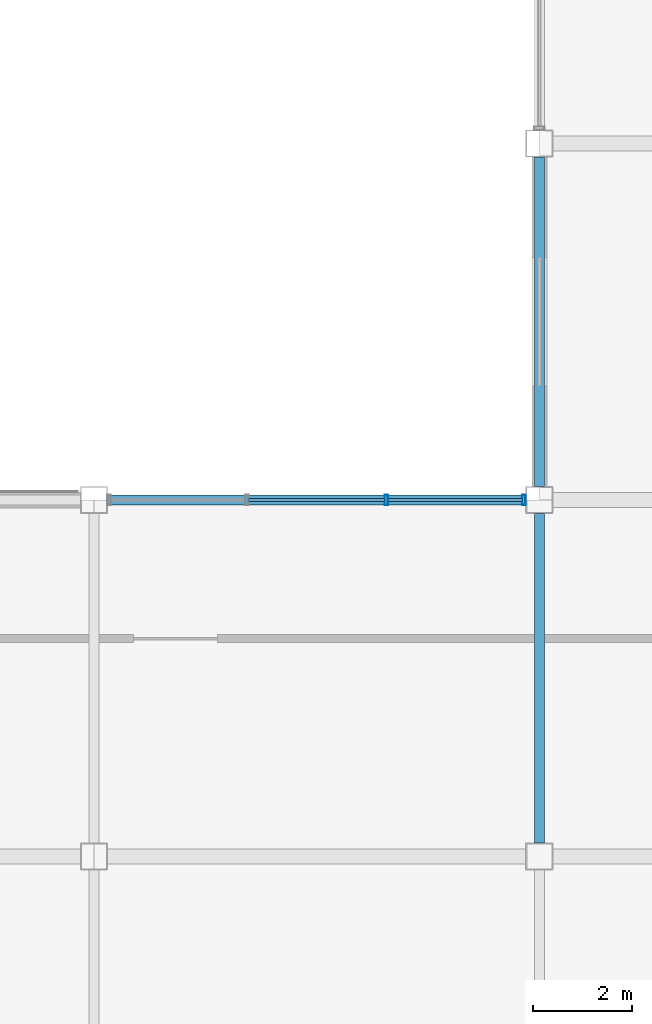
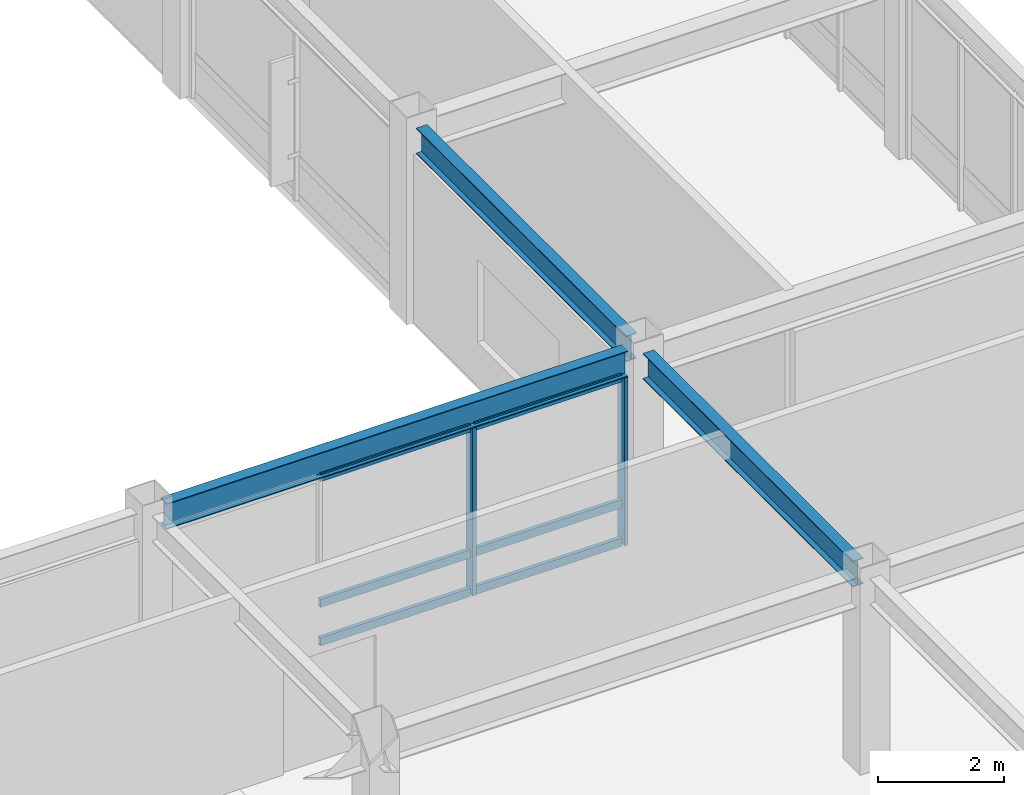
# One storey, part 44 of 122: 8 members, 3 beams, 1 element without a shape of its own.
"""IFC4 building model written with IfcOpenShell, lengths in metres."""

from ifc_helpers import new_model, si_unit, direction, frame, origin, origin_2d, place, context, subcontext, project, spatial, hollow_rectangle, i_section, extrude, material, material_profile, profile_set, type_object, element, aggregate, save


model = new_model("IFC4")

# Units and contexts
model_context = context("Model", 3, precision=1e-05, world=origin(), true_north=direction((0.0, 1.0)))
body_context = subcontext(model_context, "Body", "Model", "MODEL_VIEW")
ifc_project = project(units=[si_unit("LENGTHUNIT", "METRE"), si_unit("AREAUNIT", "SQUARE_METRE"), si_unit("VOLUMEUNIT", "CUBIC_METRE"), si_unit("PLANEANGLEUNIT", "RADIAN"), si_unit("MASSUNIT", "GRAM", prefix="KILO")], contexts=[model_context])

# Site, building, storey
site_placement = place(None, origin())
site = spatial("IfcSite", under=ifc_project, at=site_placement, CompositionType="ELEMENT")
building_placement = place(site_placement, origin())
building = spatial("IfcBuilding", under=site, at=building_placement, Name="Kazanami Central Library", CompositionType="ELEMENT")
storey_placement = place(building_placement, frame((0.0, 0.0, 4.800048828125)))
storey = spatial("IfcBuildingStorey", under=building, at=storey_placement, Name="L02", CompositionType="ELEMENT", Elevation=4.800048828125)

# Beams
ifc_material_1 = material(Name="Steel SN490B (325 MPa)", Category="steel")
ifc_material_profile_1 = material_profile(ifc_material_1, i_section(OverallWidth=0.199951171875, OverallDepth=0.5, WebThickness=0.010009765625, FlangeThickness=0.01611328125, at=origin_2d()), Name="H-500x200x10x16")
ifc_profile_set_1 = profile_set([ifc_material_profile_1], Name="Steel SN490B (325 MPa)")
beam_type_1 = type_object("IfcBeamType", Name="BM-G-Y2", PredefinedType="BEAM", material=ifc_profile_set_1)
beam_1_placement = place(storey_placement, frame((99.0, 29.072998046875, 3.5048828125), z_axis=(0.0, 1.0, 0.0), x_axis=(-1.0, 0.0, 0.0)))
element("IfcBeam", 1, at=beam_1_placement, inside=storey, type_object=beam_type_1, Name="Girder G-Y2 L02 12/E-F", PredefinedType="BEAM", context=body_context, shape_type="SweptSolid", body=[
    extrude(i_section(OverallWidth=0.199951171875, OverallDepth=0.5, WebThickness=0.010009765625, FlangeThickness=0.01611328125, at=origin_2d()), origin(), (0.0, 0.0, 1.0), 6.654052734375),
])
ifc_material_profile_2 = material_profile(ifc_material_1, i_section(OverallWidth=0.199951171875, OverallDepth=0.5, WebThickness=0.010009765625, FlangeThickness=0.01611328125, at=origin_2d()), Name="H-500x200x10x16")
ifc_profile_set_2 = profile_set([ifc_material_profile_2], Name="Steel SN490B (325 MPa)")
beam_type_2 = type_object("IfcBeamType", Name="BM-SP-1", PredefinedType="SPANDREL", material=ifc_profile_set_2)
beam_2_placement = place(storey_placement, frame((90.27294921875, 36.0, 3.5048828125), z_axis=(1.0, 0.0, 0.0), x_axis=(0.0, 1.0, 0.0)))
element("IfcBeam", 2, at=beam_2_placement, inside=storey, type_object=beam_type_2, Name="Girder SP-1 L02 F/11-12", PredefinedType="SPANDREL", context=body_context, shape_type="SweptSolid", body=[
    extrude(i_section(OverallWidth=0.199951171875, OverallDepth=0.5, WebThickness=0.010009765625, FlangeThickness=0.01611328125, at=origin_2d()), origin(), (0.0, 0.0, 1.0), 8.4541015625),
])
beam_3_placement = place(storey_placement, frame((99.0, 36.27294921875, 3.5048828125), z_axis=(0.0, 1.0, 0.0), x_axis=(-1.0, 0.0, 0.0)))
element("IfcBeam", 3, at=beam_3_placement, inside=storey, type_object=beam_type_2, Name="Girder SP-1 L02 12/F-G", PredefinedType="SPANDREL", context=body_context, shape_type="SweptSolid", body=[
    extrude(i_section(OverallWidth=0.199951171875, OverallDepth=0.5, WebThickness=0.010009765625, FlangeThickness=0.01611328125, at=origin_2d()), origin(), (0.0, 0.0, 1.0), 6.654052734375),
])

# Curtain wall, members
ifc_material_2 = material(Name="Acid-Etched Low-E Laminated Glass", Category="glass")
curtain_wall_type = type_object("IfcCurtainWallType", Name="CW-8450x3255-M275", PredefinedType="USERDEFINED", material=ifc_material_2)
curtain_wall_placement = place(storey_placement, origin())
curtain_wall = element("IfcCurtainWall", 4, at=curtain_wall_placement, inside=storey, type_object=curtain_wall_type, Name="Unitised Curtain Wall CW-13 L02 N-F-10", ObjectType="UNITISED CURTAIN WALL", PredefinedType="USERDEFINED")
ifc_material_3 = material(Name="Anodised Aluminium A6063-T5", Category="aluminium")
ifc_material_profile_3 = material_profile(ifc_material_3, hollow_rectangle(XDim=0.070068359375, YDim=0.2099609375, WallThickness=0.0048828125, at=origin_2d()), Name="ALU-MULL-70x210x5")
ifc_profile_set_3 = profile_set([ifc_material_profile_3], Name="Anodised Aluminium A6063-T5")
member_type_1 = type_object("IfcMemberType", Name="MEM-CW-M1", PredefinedType="MULLION", material=ifc_profile_set_3)
member_1_placement = place(storey_placement, frame((98.68994140625, 36.0, 0.0), z_axis=(0.0, 0.0, 1.0), x_axis=(-1.0, 0.0, 0.0)))
member_1 = element("IfcMember", 5, at=member_1_placement, type_object=member_type_1, Name="CW-13 mullion 1", PredefinedType="MULLION", context=body_context, shape_type="SweptSolid", body=[
    extrude(hollow_rectangle(XDim=0.070068359375, YDim=0.2099609375, WallThickness=0.0048828125, at=origin_2d()), origin(), (0.0, 0.0, 1.0), 3.2548828125),
])
member_2_placement = place(storey_placement, frame((95.908447265625, 36.0, 0.0), z_axis=(0.0, 0.0, 1.0), x_axis=(-1.0, 0.0, 0.0)))
member_2 = element("IfcMember", 6, at=member_2_placement, type_object=member_type_1, Name="CW-13 mullion 2", PredefinedType="MULLION", context=body_context, shape_type="SweptSolid", body=[
    extrude(hollow_rectangle(XDim=0.070068359375, YDim=0.2099609375, WallThickness=0.0048828125, at=origin_2d()), origin(), (0.0, 0.0, 1.0), 3.2548828125),
])
ifc_material_profile_4 = material_profile(ifc_material_3, hollow_rectangle(XDim=0.070068359375, YDim=0.159912109375, WallThickness=0.00390625, at=origin_2d()), Name="ALU-TRAN-70x160x4")
ifc_profile_set_4 = profile_set([ifc_material_profile_4], Name="Anodised Aluminium A6063-T5")
member_type_2 = type_object("IfcMemberType", Name="MEM-CW-T1", PredefinedType="USERDEFINED", material=ifc_profile_set_4)
member_3_placement = place(storey_placement, frame((98.655029296875, 36.0, 0.034912109375), z_axis=(-1.0, 0.0, 0.0), x_axis=(0.0, -1.0, 0.0)))
member_3 = element("IfcMember", 7, at=member_3_placement, type_object=member_type_2, Name="CW-13 transom 1.1", ObjectType="TRANSOM", PredefinedType="USERDEFINED", context=body_context, shape_type="SweptSolid", body=[
    extrude(hollow_rectangle(XDim=0.070068359375, YDim=0.159912109375, WallThickness=0.00390625, at=origin_2d()), origin(), (0.0, 0.0, 1.0), 2.711669921875),
])
member_4_placement = place(storey_placement, frame((98.655029296875, 36.0, 0.780029296875), z_axis=(-1.0, 0.0, 0.0), x_axis=(0.0, -1.0, 0.0)))
member_4 = element("IfcMember", 8, at=member_4_placement, type_object=member_type_2, Name="CW-13 transom 1.2", ObjectType="TRANSOM", PredefinedType="USERDEFINED", context=body_context, shape_type="SweptSolid", body=[
    extrude(hollow_rectangle(XDim=0.070068359375, YDim=0.159912109375, WallThickness=0.00390625, at=origin_2d()), origin(), (0.0, 0.0, 1.0), 2.711669921875),
])
member_5_placement = place(storey_placement, frame((98.655029296875, 36.0, 3.219970703125), z_axis=(-1.0, 0.0, 0.0), x_axis=(0.0, -1.0, 0.0)))
member_5 = element("IfcMember", 9, at=member_5_placement, type_object=member_type_2, Name="CW-13 transom 1.3", ObjectType="TRANSOM", PredefinedType="USERDEFINED", context=body_context, shape_type="SweptSolid", body=[
    extrude(hollow_rectangle(XDim=0.070068359375, YDim=0.159912109375, WallThickness=0.00390625, at=origin_2d()), origin(), (0.0, 0.0, 1.0), 2.711669921875),
])
member_6_placement = place(storey_placement, frame((95.873291015625, 36.0, 0.034912109375), z_axis=(-1.0, 0.0, 0.0), x_axis=(0.0, -1.0, 0.0)))
member_6 = element("IfcMember", 10, at=member_6_placement, type_object=member_type_2, Name="CW-13 transom 2.1", ObjectType="TRANSOM", PredefinedType="USERDEFINED", context=body_context, shape_type="SweptSolid", body=[
    extrude(hollow_rectangle(XDim=0.070068359375, YDim=0.159912109375, WallThickness=0.00390625, at=origin_2d()), origin(), (0.0, 0.0, 1.0), 2.74658203125),
])
member_7_placement = place(storey_placement, frame((95.873291015625, 36.0, 0.780029296875), z_axis=(-1.0, 0.0, 0.0), x_axis=(0.0, -1.0, 0.0)))
member_7 = element("IfcMember", 11, at=member_7_placement, type_object=member_type_2, Name="CW-13 transom 2.2", ObjectType="TRANSOM", PredefinedType="USERDEFINED", context=body_context, shape_type="SweptSolid", body=[
    extrude(hollow_rectangle(XDim=0.070068359375, YDim=0.159912109375, WallThickness=0.00390625, at=origin_2d()), origin(), (0.0, 0.0, 1.0), 2.74658203125),
])
member_8_placement = place(storey_placement, frame((95.873291015625, 36.0, 3.219970703125), z_axis=(-1.0, 0.0, 0.0), x_axis=(0.0, -1.0, 0.0)))
member_8 = element("IfcMember", 12, at=member_8_placement, type_object=member_type_2, Name="CW-13 transom 2.3", ObjectType="TRANSOM", PredefinedType="USERDEFINED", context=body_context, shape_type="SweptSolid", body=[
    extrude(hollow_rectangle(XDim=0.070068359375, YDim=0.159912109375, WallThickness=0.00390625, at=origin_2d()), origin(), (0.0, 0.0, 1.0), 2.74658203125),
])
aggregate(curtain_wall, [member_1, member_2, member_3, member_4, member_5, member_6, member_7, member_8])

save(model, "model.ifc")
